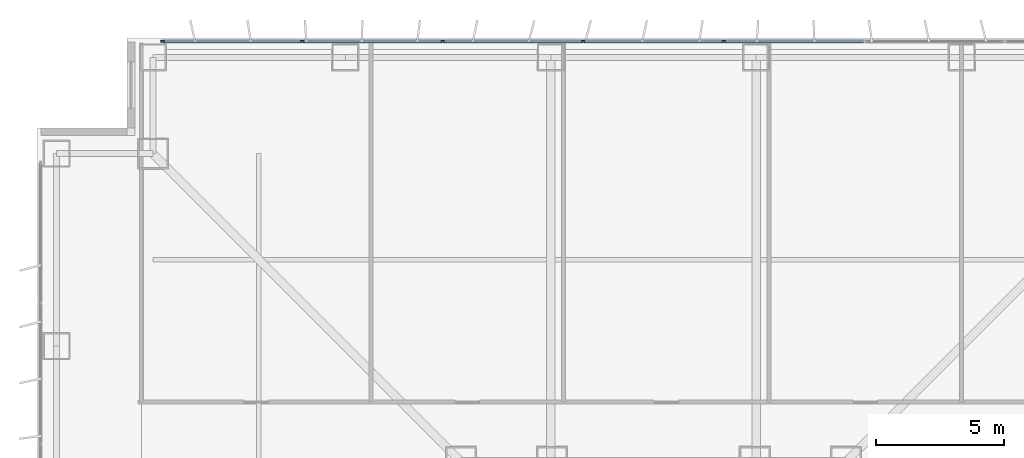
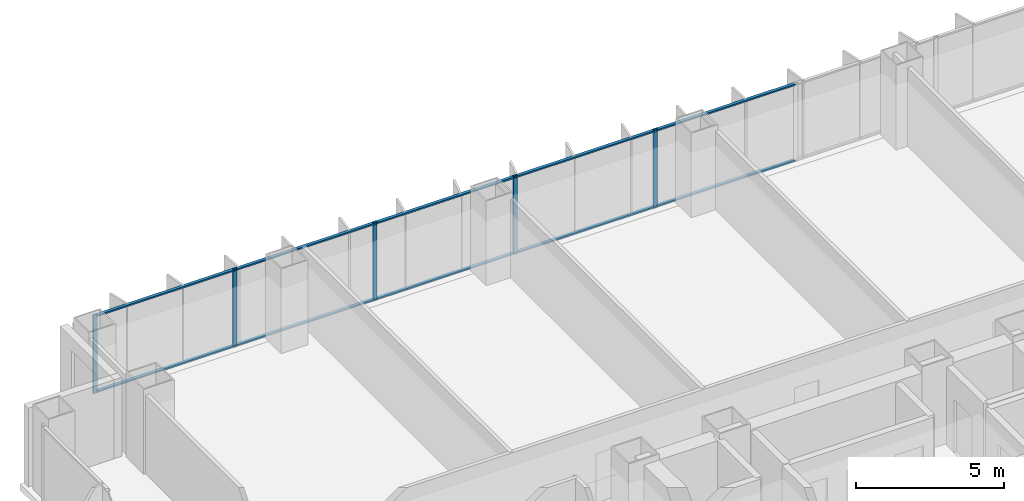
# One storey, part 11 of 19: 15 members, 1 element without a shape of its own.
"""IFC4 building model written with IfcOpenShell, lengths in metres."""

from ifc_helpers import new_model, si_unit, direction, frame, origin, origin_2d, place, context, subcontext, project, spatial, rectangle, extrude, material, layer, layer_set, material_profile, profile_set, type_object, element, aggregate, save


model = new_model("IFC4")

# Units and contexts
model_context = context("Model", 3, precision=1e-05, world=origin(), true_north=direction((0.0, 1.0)))
body_context = subcontext(model_context, "Body", "Model", "MODEL_VIEW")
ifc_project = project(units=[si_unit("LENGTHUNIT", "METRE"), si_unit("AREAUNIT", "SQUARE_METRE"), si_unit("VOLUMEUNIT", "CUBIC_METRE"), si_unit("PLANEANGLEUNIT", "RADIAN"), si_unit("MASSUNIT", "GRAM", prefix="KILO")], contexts=[model_context])

# Site, building, storey
site_placement = place(None, origin())
site = spatial("IfcSite", under=ifc_project, at=site_placement, CompositionType="ELEMENT")
building_placement = place(site_placement, origin())
building = spatial("IfcBuilding", under=site, at=building_placement, Name="Trevonay Congress Spire", CompositionType="ELEMENT")
storey_placement = place(building_placement, frame((0.0, 0.0, 58.5)))
storey = spatial("IfcBuildingStorey", under=building, at=storey_placement, Name="L14", CompositionType="ELEMENT", Elevation=58.5)

# Curtain wall, members
ifc_material = material(Name="Pale Anodised Aluminium EN AW-6063-T6", Category="aluminium")
ifc_layer = layer(ifc_material, 0.179931640625, Name="Pale Anodised Aluminium EN AW-6063-T6")
ifc_layer_set = layer_set([ifc_layer], Name="Pale Anodised Aluminium EN AW-6063-T6")
curtain_wall_type = type_object("IfcCurtainWallType", Name="CW-SYS02-HOTEL-PALE-METAL", PredefinedType="NOTDEFINED", material=ifc_layer_set)
curtain_wall_placement = place(storey_placement, origin())
curtain_wall = element("IfcCurtainWall", 1, at=curtain_wall_placement, inside=storey, type_object=curtain_wall_type, Name="L14 N unitised curtain wall", PredefinedType="NOTDEFINED")
ifc_material_profile_1 = material_profile(ifc_material, rectangle(XDim=0.06005859375, YDim=0.159912109375, at=origin_2d()), Name="CW-MULLION-160-ALUMINIUM")
ifc_profile_set_1 = profile_set([ifc_material_profile_1], Name="Pale Anodised Aluminium EN AW-6063-T6")
member_type_1 = type_object("IfcMemberType", Name="CW-MULLION-160-ALUMINIUM", PredefinedType="MULLION", material=ifc_profile_set_1)
member_1_placement = place(storey_placement, frame((-19.1201171875, 23.8798828125, 0.0), z_axis=(0.0, 0.0, 1.0), x_axis=(0.0, 1.0, 0.0)))
member_1 = element("IfcMember", 2, at=member_1_placement, type_object=member_type_1, Name="CW02 mullion 1", PredefinedType="MULLION", context=body_context, shape_type="SweptSolid", body=[
    extrude(rectangle(XDim=0.06005859375, YDim=0.159912109375, at=origin_2d()), origin(), (0.0, 0.0, 1.0), 3.25),
])
member_2_placement = place(storey_placement, frame((-13.678466796875, 23.8798828125, 0.0), z_axis=(0.0, 0.0, 1.0), x_axis=(0.0, 1.0, 0.0)))
member_2 = element("IfcMember", 3, at=member_2_placement, type_object=member_type_1, Name="CW02 mullion 2", PredefinedType="MULLION", context=body_context, shape_type="SweptSolid", body=[
    extrude(rectangle(XDim=0.06005859375, YDim=0.159912109375, at=origin_2d()), origin(), (0.0, 0.0, 1.0), 3.25),
])
member_3_placement = place(storey_placement, frame((-8.20703125, 23.8798828125, 0.0), z_axis=(0.0, 0.0, 1.0), x_axis=(0.0, 1.0, 0.0)))
member_3 = element("IfcMember", 4, at=member_3_placement, type_object=member_type_1, Name="CW02 mullion 3", PredefinedType="MULLION", context=body_context, shape_type="SweptSolid", body=[
    extrude(rectangle(XDim=0.06005859375, YDim=0.159912109375, at=origin_2d()), origin(), (0.0, 0.0, 1.0), 3.25),
])
member_4_placement = place(storey_placement, frame((-2.735595703125, 23.8798828125, 0.0), z_axis=(0.0, 0.0, 1.0), x_axis=(0.0, 1.0, 0.0)))
member_4 = element("IfcMember", 5, at=member_4_placement, type_object=member_type_1, Name="CW02 mullion 4", PredefinedType="MULLION", context=body_context, shape_type="SweptSolid", body=[
    extrude(rectangle(XDim=0.06005859375, YDim=0.159912109375, at=origin_2d()), origin(), (0.0, 0.0, 1.0), 3.25),
])
member_5_placement = place(storey_placement, frame((2.735595703125, 23.8798828125, 0.0), z_axis=(0.0, 0.0, 1.0), x_axis=(0.0, 1.0, 0.0)))
member_5 = element("IfcMember", 6, at=member_5_placement, type_object=member_type_1, Name="CW02 mullion 5", PredefinedType="MULLION", context=body_context, shape_type="SweptSolid", body=[
    extrude(rectangle(XDim=0.06005859375, YDim=0.159912109375, at=origin_2d()), origin(), (0.0, 0.0, 1.0), 3.25),
])
ifc_material_profile_2 = material_profile(ifc_material, rectangle(XDim=0.1201171875, YDim=0.06005859375, at=origin_2d()), Name="CW-TRANSOM-120-ALUMINIUM")
ifc_profile_set_2 = profile_set([ifc_material_profile_2], Name="Pale Anodised Aluminium EN AW-6063-T6")
member_type_2 = type_object("IfcMemberType", Name="CW-TRANSOM-120-ALUMINIUM", PredefinedType="USERDEFINED", material=ifc_profile_set_2)
member_6_placement = place(storey_placement, frame((-19.090087890625, 23.8798828125, 0.06005859375), z_axis=(1.0, 0.0, 0.0), x_axis=(0.0, 1.0, 0.0)))
member_6 = element("IfcMember", 7, at=member_6_placement, type_object=member_type_2, Name="CW02 transom 1.1", ObjectType="TRANSOM", PredefinedType="USERDEFINED", context=body_context, shape_type="SweptSolid", body=[
    extrude(rectangle(XDim=0.1201171875, YDim=0.06005859375, at=origin_2d()), origin(), (0.0, 0.0, 1.0), 5.381591796875),
])
member_7_placement = place(storey_placement, frame((-19.090087890625, 23.8798828125, 3.18994140625), z_axis=(1.0, 0.0, 0.0), x_axis=(0.0, 1.0, 0.0)))
member_7 = element("IfcMember", 8, at=member_7_placement, type_object=member_type_2, Name="CW02 transom 1.2", ObjectType="TRANSOM", PredefinedType="USERDEFINED", context=body_context, shape_type="SweptSolid", body=[
    extrude(rectangle(XDim=0.1201171875, YDim=0.06005859375, at=origin_2d()), origin(), (0.0, 0.0, 1.0), 5.381591796875),
])
member_8_placement = place(storey_placement, frame((-13.648681640625, 23.8798828125, 0.06005859375), z_axis=(1.0, 0.0, 0.0), x_axis=(0.0, 1.0, 0.0)))
member_8 = element("IfcMember", 9, at=member_8_placement, type_object=member_type_2, Name="CW02 transom 2.1", ObjectType="TRANSOM", PredefinedType="USERDEFINED", context=body_context, shape_type="SweptSolid", body=[
    extrude(rectangle(XDim=0.1201171875, YDim=0.06005859375, at=origin_2d()), origin(), (0.0, 0.0, 1.0), 5.41162109375),
])
member_9_placement = place(storey_placement, frame((-13.648681640625, 23.8798828125, 3.18994140625), z_axis=(1.0, 0.0, 0.0), x_axis=(0.0, 1.0, 0.0)))
member_9 = element("IfcMember", 10, at=member_9_placement, type_object=member_type_2, Name="CW02 transom 2.2", ObjectType="TRANSOM", PredefinedType="USERDEFINED", context=body_context, shape_type="SweptSolid", body=[
    extrude(rectangle(XDim=0.1201171875, YDim=0.06005859375, at=origin_2d()), origin(), (0.0, 0.0, 1.0), 5.41162109375),
])
member_10_placement = place(storey_placement, frame((-8.17724609375, 23.8798828125, 0.06005859375), z_axis=(1.0, 0.0, 0.0), x_axis=(0.0, 1.0, 0.0)))
member_10 = element("IfcMember", 11, at=member_10_placement, type_object=member_type_2, Name="CW02 transom 3.1", ObjectType="TRANSOM", PredefinedType="USERDEFINED", context=body_context, shape_type="SweptSolid", body=[
    extrude(rectangle(XDim=0.1201171875, YDim=0.06005859375, at=origin_2d()), origin(), (0.0, 0.0, 1.0), 5.41162109375),
])
member_11_placement = place(storey_placement, frame((-8.17724609375, 23.8798828125, 3.18994140625), z_axis=(1.0, 0.0, 0.0), x_axis=(0.0, 1.0, 0.0)))
member_11 = element("IfcMember", 12, at=member_11_placement, type_object=member_type_2, Name="CW02 transom 3.2", ObjectType="TRANSOM", PredefinedType="USERDEFINED", context=body_context, shape_type="SweptSolid", body=[
    extrude(rectangle(XDim=0.1201171875, YDim=0.06005859375, at=origin_2d()), origin(), (0.0, 0.0, 1.0), 5.41162109375),
])
member_12_placement = place(storey_placement, frame((-2.705810546875, 23.8798828125, 0.06005859375), z_axis=(1.0, 0.0, 0.0), x_axis=(0.0, 1.0, 0.0)))
member_12 = element("IfcMember", 13, at=member_12_placement, type_object=member_type_2, Name="CW02 transom 4.1", ObjectType="TRANSOM", PredefinedType="USERDEFINED", context=body_context, shape_type="SweptSolid", body=[
    extrude(rectangle(XDim=0.1201171875, YDim=0.06005859375, at=origin_2d()), origin(), (0.0, 0.0, 1.0), 5.41162109375),
])
member_13_placement = place(storey_placement, frame((-2.705810546875, 23.8798828125, 3.18994140625), z_axis=(1.0, 0.0, 0.0), x_axis=(0.0, 1.0, 0.0)))
member_13 = element("IfcMember", 14, at=member_13_placement, type_object=member_type_2, Name="CW02 transom 4.2", ObjectType="TRANSOM", PredefinedType="USERDEFINED", context=body_context, shape_type="SweptSolid", body=[
    extrude(rectangle(XDim=0.1201171875, YDim=0.06005859375, at=origin_2d()), origin(), (0.0, 0.0, 1.0), 5.41162109375),
])
member_14_placement = place(storey_placement, frame((2.765625, 23.8798828125, 0.06005859375), z_axis=(1.0, 0.0, 0.0), x_axis=(0.0, 1.0, 0.0)))
member_14 = element("IfcMember", 15, at=member_14_placement, type_object=member_type_2, Name="CW02 transom 5.1", ObjectType="TRANSOM", PredefinedType="USERDEFINED", context=body_context, shape_type="SweptSolid", body=[
    extrude(rectangle(XDim=0.1201171875, YDim=0.06005859375, at=origin_2d()), origin(), (0.0, 0.0, 1.0), 5.41162109375),
])
member_15_placement = place(storey_placement, frame((2.765625, 23.8798828125, 3.18994140625), z_axis=(1.0, 0.0, 0.0), x_axis=(0.0, 1.0, 0.0)))
member_15 = element("IfcMember", 16, at=member_15_placement, type_object=member_type_2, Name="CW02 transom 5.2", ObjectType="TRANSOM", PredefinedType="USERDEFINED", context=body_context, shape_type="SweptSolid", body=[
    extrude(rectangle(XDim=0.1201171875, YDim=0.06005859375, at=origin_2d()), origin(), (0.0, 0.0, 1.0), 5.41162109375),
])
aggregate(curtain_wall, [member_1, member_2, member_3, member_4, member_5, member_6, member_7, member_8, member_9, member_10, member_11, member_12, member_13, member_14, member_15])

save(model, "model.ifc")
